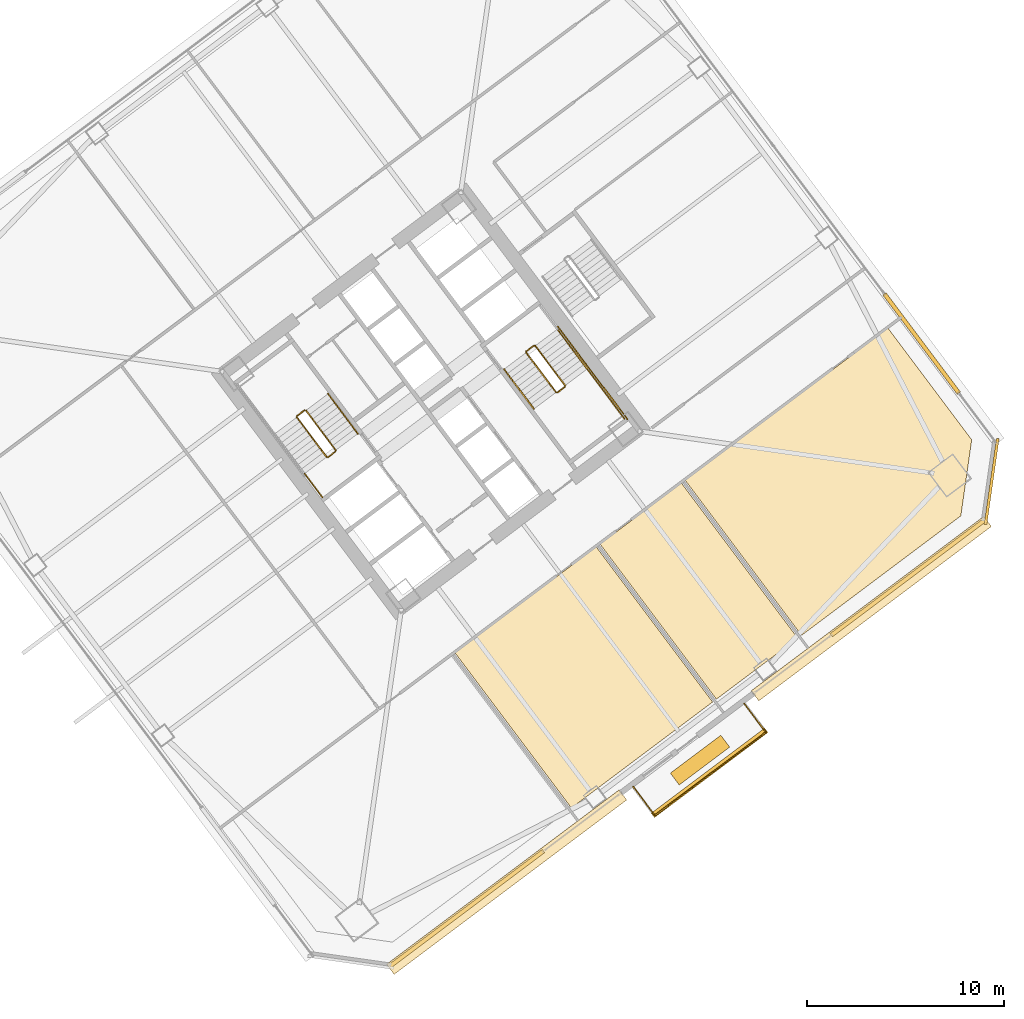
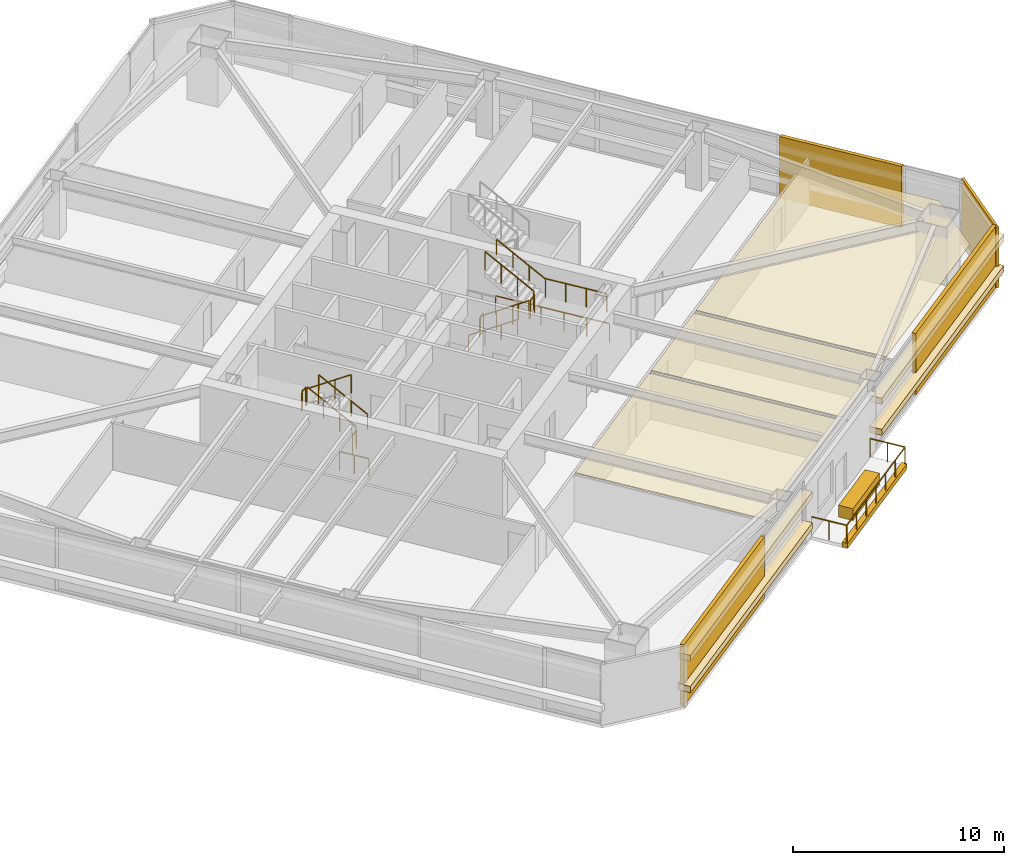
# One storey, part 45 of 48: 17 railings, 13 coverings.
"""IFC4 building model written with IfcOpenShell, lengths in metres."""

from ifc_helpers import new_model, si_unit, direction, frame, origin, origin_2d, place, context, subcontext, project, spatial, polyline, rectangle, outline, extrude, material, layer, layer_set, type_object, element, save


model = new_model("IFC4")

# Units and contexts
model_context = context("Model", 3, precision=1e-05, world=origin(), true_north=direction((0.0, 1.0)))
body_context = subcontext(model_context, "Body", "Model", "MODEL_VIEW")
ifc_project = project(units=[si_unit("LENGTHUNIT", "METRE"), si_unit("AREAUNIT", "SQUARE_METRE"), si_unit("VOLUMEUNIT", "CUBIC_METRE"), si_unit("PLANEANGLEUNIT", "RADIAN"), si_unit("MASSUNIT", "GRAM", prefix="KILO")], contexts=[model_context])

# Site, building, storey
site_placement = place(None, origin())
site = spatial("IfcSite", under=ifc_project, at=site_placement, CompositionType="ELEMENT")
building_placement = place(site_placement, origin())
building = spatial("IfcBuilding", under=site, at=building_placement, Name="Tashvorn Skyway Center", CompositionType="ELEMENT")
storey_placement = place(building_placement, frame((0.0, 0.0, 53.0)))
storey = spatial("IfcBuildingStorey", under=building, at=storey_placement, Name="L13", CompositionType="ELEMENT", Elevation=53.0)

# Coverings
ifc_material_1 = material(Name="Precast concrete C40/50", Category="concrete")
ifc_layer_1 = layer(ifc_material_1, 0.199951171875)
ifc_layer_set_1 = layer_set([ifc_layer_1], Name="Precast concrete C40/50")
covering_type_1 = type_object("IfcCoveringType", Name="COV-BRACE-CLAD", PredefinedType="CLADDING", material=ifc_layer_set_1)
for number, where, z_axis, x_axis, name in (
    (1, (138.210693359375, 23.05810546875, 0.0), (0.0, 0.0, 1.0), (-0.799999996291, -0.600000004945, 0.0), "Tower 2 L13 South Curtain Wall L Mega-Brace Cladding Band 1"),
    (2, (115.805419921875, 6.25390625, 0.0), (0.0, 0.0, 1.0), (-0.799999996291, -0.600000004945, 0.0), "Tower 2 L13 South Curtain Wall R Mega-Brace Cladding Band 1"),
):
    element("IfcCovering", number, at=place(storey_placement, frame(where, z_axis=z_axis, x_axis=x_axis)), inside=storey, type_object=covering_type_1, Name=name, PredefinedType="CLADDING", context=body_context, shape_type="SweptSolid", body=[
        extrude(rectangle(XDim=9.75341796875, YDim=0.199951171875, at=origin_2d()), origin(), (0.0, 0.0, 1.0), 3.550048828125),
    ])
covering_1_placement = place(storey_placement, frame((138.89599609375, 34.938720703125, 0.0), z_axis=(0.0, 0.0, 1.0), x_axis=(0.600000004945, -0.799999996291, 0.0)))
element("IfcCovering", 3, at=covering_1_placement, inside=storey, type_object=covering_type_1, Name="Tower 2 L13 East Unitised Curtain Wall Mega-Brace Cladding Band 2", PredefinedType="CLADDING", context=body_context, shape_type="SweptSolid", body=[
    extrude(rectangle(XDim=6.29345703125, YDim=0.199951171875, at=origin_2d()), origin(), (0.0, 0.0, 1.0), 3.550048828125),
])
ifc_material_2 = material(Name="Mineral-fibre acoustic ceiling tile on suspended grid")
ifc_layer_2 = layer(ifc_material_2, 0.02001953125)
ifc_layer_set_2 = layer_set([ifc_layer_2], Name="Mineral-fibre acoustic ceiling tile on suspended grid")
covering_type_2 = type_object("IfcCoveringType", Name="COV-CEIL-20", PredefinedType="CEILING", material=ifc_layer_set_2)
covering_2_placement = place(storey_placement, frame((0.0, 0.0, 2.68310546875)))
element("IfcCovering", 4, at=covering_2_placement, inside=storey, type_object=covering_type_2, Name="Tower 2 L13 Corporate Office Acoustic Ceiling", PredefinedType="CEILING", context=body_context, shape_type="SweptSolid", body=[
    extrude(outline(polyline([(115.219970703125, 19.239990234375), (122.387939453125, 24.615966796875), (128.2919921875, 16.743896484375), (121.1240234375, 11.367919921875), (115.219970703125, 19.239990234375)])), origin(), (0.0, 0.0, 1.0), 0.019775390625),
])
covering_3_placement = place(storey_placement, frame((0.0, 0.0, 2.68310546875)))
element("IfcCovering", 5, at=covering_3_placement, inside=storey, type_object=covering_type_2, Name="Tower 2 L13 Corporate Office Acoustic Ceiling", PredefinedType="CEILING", context=body_context, shape_type="SweptSolid", body=[
    extrude(outline(polyline([(122.580078125, 24.760009765625), (126.7080078125, 27.85595703125), (132.612060546875, 19.98388671875), (128.48388671875, 16.887939453125), (122.580078125, 24.760009765625)])), origin(), (0.0, 0.0, 1.0), 0.019775390625),
])
covering_4_placement = place(storey_placement, frame((0.0, 0.0, 2.68310546875)))
element("IfcCovering", 6, at=covering_4_placement, inside=storey, type_object=covering_type_2, Name="Tower 2 L13 Collaborative Studio Acoustic Ceiling", PredefinedType="CEILING", context=body_context, shape_type="SweptSolid", body=[
    extrude(outline(polyline([(132.803955078125, 20.1279296875), (126.89990234375, 28.0), (137.18798828125, 35.716064453125), (141.43603515625, 30.052001953125), (140.884033203125, 26.18798828125), (132.803955078125, 20.1279296875)])), origin(), (0.0, 0.0, 1.0), 0.019775390625),
])
ifc_material_3 = material(Name="Perforated ceramic-coated bronze aluminium solar screen", Category="aluminium")
ifc_layer_3 = layer(ifc_material_3, 0.85009765625)
ifc_layer_set_3 = layer_set([ifc_layer_3], Name="Perforated ceramic-coated bronze aluminium solar screen")
covering_type_3 = type_object("IfcCoveringType", Name="COV-SOLAR-BAND", PredefinedType="CLADDING", material=ifc_layer_set_3)
for number, where, z_axis, x_axis, name in (
    (7, (136.343994140625, 21.48291015625, 0.919921875), (0.0, 0.0, 1.0), (-0.799999996291, -0.600000004945, 0.0), "L13 Perforated Ceramic-Metal Solar Screen Louvre Band South 1"),
    (8, (136.343994140625, 21.48291015625, 2.7197265625), (0.0, 0.0, 1.0), (-0.799999996291, -0.600000004945, 0.0), "L13 Perforated Ceramic-Metal Solar Screen Louvre Band South 2"),
    (9, (117.840087890625, 7.60498046875, 0.919921875), (0.0, 0.0, 1.0), (-0.799999996291, -0.600000004945, 0.0), "L13 Perforated Ceramic-Metal Solar Screen Louvre Band South 1"),
    (10, (117.840087890625, 7.60498046875, 2.7197265625), (0.0, 0.0, 1.0), (-0.799999996291, -0.600000004945, 0.0), "L13 Perforated Ceramic-Metal Solar Screen Louvre Band South 2"),
):
    element("IfcCovering", number, at=place(storey_placement, frame(where, z_axis=z_axis, x_axis=x_axis)), inside=storey, type_object=covering_type_3, Name=name, PredefinedType="CLADDING", context=body_context, shape_type="SweptSolid", body=[
        extrude(rectangle(XDim=14.75, YDim=0.639892578125, at=origin_2d()), origin(), (0.0, 0.0, 1.0), 0.360107421875),
    ])
ifc_layer_4 = layer(ifc_material_1, 0.35009765625)
ifc_layer_set_4 = layer_set([ifc_layer_4], Name="Precast concrete C40/50")
covering_type_4 = type_object("IfcCoveringType", Name="COV-STONE-TRIM", PredefinedType="CLADDING", material=ifc_layer_set_4)
covering_5_placement = place(storey_placement, frame((128.135986328125, 13.152099609375, -0.16015625), z_axis=(0.0, 0.0, 1.0), x_axis=(-0.799999996291, -0.600000004945, 0.0)))
element("IfcCovering", 11, at=covering_5_placement, inside=storey, type_object=covering_type_4, Name="Tower 2 L13 Spiral Terrace Terracotta Fascia", PredefinedType="CLADDING", context=body_context, shape_type="SweptSolid", body=[
    extrude(rectangle(XDim=7.199951171875, YDim=0.280029296875, at=origin_2d()), origin(), (0.0, 0.0, 1.0), 0.280029296875),
])
covering_6_placement = place(storey_placement, frame((127.64990234375, 13.800048828125, 0.0), z_axis=(0.0, 0.0, 1.0), x_axis=(-0.799999996291, -0.600000004945, 0.0)))
element("IfcCovering", 12, at=covering_6_placement, inside=storey, type_object=covering_type_4, Name="Tower 2 L13 Spiral Terrace Planter", PredefinedType="CLADDING", context=body_context, shape_type="SweptSolid", body=[
    extrude(rectangle(XDim=3.199951171875, YDim=0.75, at=origin_2d()), origin(), (0.0, 0.0, 1.0), 0.679931640625),
])
covering_7_placement = place(storey_placement, frame((142.447998046875, 27.93603515625, 0.02001953125), z_axis=(0.0, 0.0, 1.0), x_axis=(0.141421350118, 0.989949494535, 0.0)))
element("IfcCovering", 13, at=covering_7_placement, inside=storey, type_object=covering_type_4, Name="Tower 2 L13 SE Mojave Limestone Corner Quoin", PredefinedType="CLADDING", context=body_context, shape_type="SweptSolid", body=[
    extrude(rectangle(XDim=4.402587890625, YDim=0.139892578125, at=origin_2d()), origin(), (0.0, 0.0, 1.0), 3.510009765625),
])

# Railings
ifc_material_4 = material(Name="Galvanized steel S355", Category="steel")
railing_type_1 = type_object("IfcRailingType", Name="RAIL-GUARD-1120", PredefinedType="GUARDRAIL", material=ifc_material_4)
railing_1_placement = place(storey_placement, frame((124.263916015625, 12.447998046875, 0.0)))
element("IfcRailing", 14, at=railing_1_placement, inside=storey, type_object=railing_type_1, Name="L13 Tower 2 Terrace Guardrail 01", PredefinedType="GUARDRAIL", context=body_context, shape_type="SweptSolid", body=[
    extrude(rectangle(XDim=0.048095703125, YDim=0.048095703125, at=origin_2d()), frame((0.0, 0.0, 1.09619140625), z_axis=(0.6, -0.8, 0.0), x_axis=(0.8, 0.6, 0.0)), (0.0, 0.0, 1.0), 1.820068359375),
    extrude(rectangle(XDim=0.0419921875, YDim=0.0419921875, at=origin_2d()), origin(), (0.0, 0.0, 1.0), 1.072021484375),
    extrude(rectangle(XDim=0.0419921875, YDim=0.0419921875, at=origin_2d()), frame((0.5458984375, -0.72802734375, 0.0)), (0.0, 0.0, 1.0), 1.072021484375),
    extrude(rectangle(XDim=0.0419921875, YDim=0.0419921875, at=origin_2d()), frame((1.092041015625, -1.4560546875, 0.0)), (0.0, 0.0, 1.0), 1.072021484375),
])
railing_2_placement = place(storey_placement, frame((125.35595703125, 10.991943359375, 0.0)))
element("IfcRailing", 15, at=railing_2_placement, inside=storey, type_object=railing_type_1, Name="L13 Tower 2 Terrace Guardrail 02", PredefinedType="GUARDRAIL", context=body_context, shape_type="SweptSolid", body=[
    extrude(rectangle(XDim=0.048095703125, YDim=0.048095703125, at=origin_2d()), frame((0.0, 0.0, 1.09619140625), z_axis=(0.799995838574, 0.600005548528, 0.0), x_axis=(-0.600005548528, 0.799995838574, 0.0)), (0.0, 0.0, 1.0), 7.0400390625),
    extrude(rectangle(XDim=0.0419921875, YDim=0.0419921875, at=origin_2d()), origin(), (0.0, 0.0, 1.0), 1.072021484375),
    extrude(rectangle(XDim=0.0419921875, YDim=0.0419921875, at=origin_2d()), frame((0.938720703125, 0.7041015625, 0.0)), (0.0, 0.0, 1.0), 1.072021484375),
    extrude(rectangle(XDim=0.0419921875, YDim=0.0419921875, at=origin_2d()), frame((1.87744140625, 1.407958984375, 0.0)), (0.0, 0.0, 1.0), 1.072021484375),
    extrude(rectangle(XDim=0.0419921875, YDim=0.0419921875, at=origin_2d()), frame((2.81591796875, 2.112060546875, 0.0)), (0.0, 0.0, 1.0), 1.072021484375),
    extrude(rectangle(XDim=0.0419921875, YDim=0.0419921875, at=origin_2d()), frame((3.754638671875, 2.816162109375, 0.0)), (0.0, 0.0, 1.0), 1.072021484375),
    extrude(rectangle(XDim=0.0419921875, YDim=0.0419921875, at=origin_2d()), frame((4.693359375, 3.52001953125, 0.0)), (0.0, 0.0, 1.0), 1.072021484375),
    extrude(rectangle(XDim=0.0419921875, YDim=0.0419921875, at=origin_2d()), frame((5.632080078125, 4.22412109375, 0.0)), (0.0, 0.0, 1.0), 1.072021484375),
])
railing_3_placement = place(storey_placement, frame((130.988037109375, 15.216064453125, 0.0)))
element("IfcRailing", 16, at=railing_3_placement, inside=storey, type_object=railing_type_1, Name="L13 Tower 2 Terrace Guardrail 03", PredefinedType="GUARDRAIL", context=body_context, shape_type="SweptSolid", body=[
    extrude(rectangle(XDim=0.048095703125, YDim=0.048095703125, at=origin_2d()), frame((0.0, 0.0, 1.09619140625), z_axis=(-0.6, 0.8, 0.0), x_axis=(-0.8, -0.6, 0.0)), (0.0, 0.0, 1.0), 1.820068359375),
    extrude(rectangle(XDim=0.0419921875, YDim=0.0419921875, at=origin_2d()), origin(), (0.0, 0.0, 1.0), 1.072021484375),
    extrude(rectangle(XDim=0.0419921875, YDim=0.0419921875, at=origin_2d()), frame((-0.5458984375, 0.72802734375, 0.0)), (0.0, 0.0, 1.0), 1.072021484375),
    extrude(rectangle(XDim=0.0419921875, YDim=0.0419921875, at=origin_2d()), frame((-1.092041015625, 1.4560546875, 0.0)), (0.0, 0.0, 1.0), 1.072021484375),
])
ifc_material_5 = material(Name="Brushed stainless steel 316", Category="steel")
railing_type_2 = type_object("IfcRailingType", Name="RAIL-HAND-920", PredefinedType="HANDRAIL", material=ifc_material_5)
railing_4_placement = place(storey_placement, frame((110.2880859375, 30.365966796875, 0.177490234375)))
element("IfcRailing", 17, at=railing_4_placement, inside=storey, type_object=railing_type_2, Name="L13 ST-T2-1 stair handrail 1", PredefinedType="HANDRAIL", context=body_context, shape_type="SweptSolid", body=[
    extrude(rectangle(XDim=0.048095703125, YDim=0.048095703125, at=origin_2d()), frame((0.0, 0.0, 0.8759765625), z_axis=(-0.506801609611, 0.675680931896, 0.535357270211), x_axis=(-0.799976749893, -0.600030998891, 0.0)), (0.0, 0.0, 1.0), 2.98388671875),
    extrude(rectangle(XDim=0.0419921875, YDim=0.0419921875, at=origin_2d()), origin(), (0.0, 0.0, 1.0), 0.851806640625),
    extrude(rectangle(XDim=0.0419921875, YDim=0.0419921875, at=origin_2d()), frame((-0.504150390625, 0.672119140625, 0.532470703125)), (0.0, 0.0, 1.0), 0.851806640625),
    extrude(rectangle(XDim=0.0419921875, YDim=0.0419921875, at=origin_2d()), frame((-1.008056640625, 1.343994140625, 1.06494140625)), (0.0, 0.0, 1.0), 0.851806640625),
    extrude(rectangle(XDim=0.0419921875, YDim=0.0419921875, at=origin_2d()), frame((-1.51220703125, 2.01611328125, 1.597412109375)), (0.0, 0.0, 1.0), 0.851806640625),
])
railing_5_placement = place(storey_placement, frame((117.7119140625, 33.634033203125, 0.177490234375)))
element("IfcRailing", 18, at=railing_5_placement, inside=storey, type_object=railing_type_2, Name="L13 ST-T2-2 stair handrail 1", PredefinedType="HANDRAIL", context=body_context, shape_type="SweptSolid", body=[
    extrude(rectangle(XDim=0.048095703125, YDim=0.048095703125, at=origin_2d()), frame((0.0, 0.0, 0.8759765625), z_axis=(0.506801609611, -0.675680931896, 0.535357270211), x_axis=(0.799976749893, 0.600030998891, 0.0)), (0.0, 0.0, 1.0), 2.98388671875),
    extrude(rectangle(XDim=0.0419921875, YDim=0.0419921875, at=origin_2d()), origin(), (0.0, 0.0, 1.0), 0.851806640625),
    extrude(rectangle(XDim=0.0419921875, YDim=0.0419921875, at=origin_2d()), frame((0.504150390625, -0.672119140625, 0.532470703125)), (0.0, 0.0, 1.0), 0.851806640625),
    extrude(rectangle(XDim=0.0419921875, YDim=0.0419921875, at=origin_2d()), frame((1.008056640625, -1.343994140625, 1.06494140625)), (0.0, 0.0, 1.0), 0.851806640625),
    extrude(rectangle(XDim=0.0419921875, YDim=0.0419921875, at=origin_2d()), frame((1.51220703125, -2.01611328125, 1.597412109375)), (0.0, 0.0, 1.0), 0.851806640625),
])
railing_6_placement = place(storey_placement, frame((121.927978515625, 33.64599609375, 1.952392578125)))
element("IfcRailing", 19, at=railing_6_placement, inside=storey, type_object=railing_type_2, Name="L13 ST-T2-2 stair handrail 2", PredefinedType="HANDRAIL", context=body_context, shape_type="SweptSolid", body=[
    extrude(rectangle(XDim=0.048095703125, YDim=0.048095703125, at=origin_2d()), frame((0.0, 0.0, 0.8759765625), z_axis=(-0.506718600913, 0.675679348675, 0.535437836974), x_axis=(-0.800023250257, -0.599968998406, 0.0)), (0.0, 0.0, 1.0), 2.98388671875),
    extrude(rectangle(XDim=0.0419921875, YDim=0.0419921875, at=origin_2d()), origin(), (0.0, 0.0, 1.0), 0.851806640625),
    extrude(rectangle(XDim=0.0419921875, YDim=0.0419921875, at=origin_2d()), frame((-0.50390625, 0.672119140625, 0.532470703125)), (0.0, 0.0, 1.0), 0.851806640625),
    extrude(rectangle(XDim=0.0419921875, YDim=0.0419921875, at=origin_2d()), frame((-1.008056640625, 1.343994140625, 1.065185546875)), (0.0, 0.0, 1.0), 0.851806640625),
    extrude(rectangle(XDim=0.0419921875, YDim=0.0419921875, at=origin_2d()), frame((-1.511962890625, 2.01611328125, 1.59765625)), (0.0, 0.0, 1.0), 0.851806640625),
])
ifc_material_6 = material(Name="Painted galvanized steel S355", Category="steel")
railing_type_3 = type_object("IfcRailingType", Name="RAIL-STGUARD-1100", PredefinedType="GUARDRAIL", material=ifc_material_6)
railing_7_placement = place(storey_placement, frame((109.16796875, 29.52587890625, 0.177490234375)))
element("IfcRailing", 20, at=railing_7_placement, inside=storey, type_object=railing_type_3, Name="L13 ST-T2-1 stair guard 1", PredefinedType="GUARDRAIL", context=body_context, shape_type="SweptSolid", body=[
    extrude(rectangle(XDim=0.048095703125, YDim=0.048095703125, at=origin_2d()), frame((0.0, 0.0, 1.076171875), z_axis=(-0.506740800098, 0.675708949977, 0.535379469569), x_axis=(-0.800023250257, -0.599968998406, 0.0)), (0.0, 0.0, 1.0), 2.983642578125),
    extrude(rectangle(XDim=0.0419921875, YDim=0.0419921875, at=origin_2d()), origin(), (0.0, 0.0, 1.0), 1.052001953125),
    extrude(rectangle(XDim=0.0419921875, YDim=0.0419921875, at=origin_2d()), frame((-0.50390625, 0.672119140625, 0.532470703125)), (0.0, 0.0, 1.0), 1.052001953125),
    extrude(rectangle(XDim=0.0419921875, YDim=0.0419921875, at=origin_2d()), frame((-1.008056640625, 1.343994140625, 1.06494140625)), (0.0, 0.0, 1.0), 1.052001953125),
    extrude(rectangle(XDim=0.0419921875, YDim=0.0419921875, at=origin_2d()), frame((-1.511962890625, 2.01611328125, 1.597412109375)), (0.0, 0.0, 1.0), 1.052001953125),
])
railing_8_placement = place(storey_placement, frame((107.5859375, 31.552001953125, 1.77490234375)))
element("IfcRailing", 21, at=railing_8_placement, inside=storey, type_object=railing_type_3, Name="L13 ST-T2-1 stair guard 2", PredefinedType="GUARDRAIL", context=body_context, shape_type="SweptSolid", body=[
    extrude(rectangle(XDim=0.048095703125, YDim=0.048095703125, at=origin_2d()), frame((0.0, 0.0, 1.076171875), z_axis=(-0.799938970639, -0.600081363861, 0.0), x_axis=(0.600081363861, -0.799938970639, 0.0)), (0.0, 0.0, 1.0), 0.47998046875),
    extrude(rectangle(XDim=0.0419921875, YDim=0.0419921875, at=origin_2d()), origin(), (0.0, 0.0, 1.0), 1.052001953125),
    extrude(rectangle(XDim=0.0419921875, YDim=0.0419921875, at=origin_2d()), frame((-0.384033203125, -0.2880859375, 0.0)), (0.0, 0.0, 1.0), 1.052001953125),
])
railing_9_placement = place(storey_placement, frame((107.19189453125, 31.194091796875, 1.952392578125)))
element("IfcRailing", 22, at=railing_9_placement, inside=storey, type_object=railing_type_3, Name="L13 ST-T2-1 stair guard 4", PredefinedType="GUARDRAIL", context=body_context, shape_type="SweptSolid", body=[
    extrude(rectangle(XDim=0.048095703125, YDim=0.048095703125, at=origin_2d()), frame((0.0, 0.0, 1.076171875), z_axis=(0.506779409603, -0.675651334276, 0.53541563714), x_axis=(0.799976749893, 0.600030998891, 0.0)), (0.0, 0.0, 1.0), 2.98388671875),
    extrude(rectangle(XDim=0.0419921875, YDim=0.0419921875, at=origin_2d()), origin(), (0.0, 0.0, 1.0), 1.052001953125),
    extrude(rectangle(XDim=0.0419921875, YDim=0.0419921875, at=origin_2d()), frame((0.504150390625, -0.672119140625, 0.532470703125)), (0.0, 0.0, 1.0), 1.052001953125),
    extrude(rectangle(XDim=0.0419921875, YDim=0.0419921875, at=origin_2d()), frame((1.008056640625, -1.343994140625, 1.065185546875)), (0.0, 0.0, 1.0), 1.052001953125),
    extrude(rectangle(XDim=0.0419921875, YDim=0.0419921875, at=origin_2d()), frame((1.51220703125, -2.01611328125, 1.59765625)), (0.0, 0.0, 1.0), 1.052001953125),
])
railing_10_placement = place(storey_placement, frame((109.157958984375, 29.4560546875, 0.0)))
element("IfcRailing", 23, at=railing_10_placement, inside=storey, type_object=railing_type_3, Name="L13 ST-T2-1 stair guard 5", PredefinedType="GUARDRAIL", context=body_context, shape_type="SweptSolid", body=[
    extrude(rectangle(XDim=0.048095703125, YDim=0.048095703125, at=origin_2d()), frame((0.0, 0.0, 1.076171875), z_axis=(-0.799938970639, -0.600081363861, 0.0), x_axis=(0.600081363861, -0.799938970639, 0.0)), (0.0, 0.0, 1.0), 0.47998046875),
    extrude(rectangle(XDim=0.0419921875, YDim=0.0419921875, at=origin_2d()), origin(), (0.0, 0.0, 1.0), 1.052001953125),
    extrude(rectangle(XDim=0.0419921875, YDim=0.0419921875, at=origin_2d()), frame((-0.384033203125, -0.2880859375, 0.0)), (0.0, 0.0, 1.0), 1.052001953125),
])
railing_11_placement = place(storey_placement, frame((108.49609375, 27.1220703125, 0.0)))
element("IfcRailing", 24, at=railing_11_placement, inside=storey, type_object=railing_type_3, Name="L13 ST-T2-1 stair guard 6", PredefinedType="GUARDRAIL", context=body_context, shape_type="SweptSolid", body=[
    extrude(rectangle(XDim=0.048095703125, YDim=0.048095703125, at=origin_2d()), frame((0.0, 0.0, 1.076171875), z_axis=(-0.600102796382, 0.799922892393, 0.0), x_axis=(-0.799922892393, -0.600102796382, 0.0)), (0.0, 0.0, 1.0), 1.52001953125),
    extrude(rectangle(XDim=0.0419921875, YDim=0.0419921875, at=origin_2d()), origin(), (0.0, 0.0, 1.0), 1.052001953125),
    extrude(rectangle(XDim=0.0419921875, YDim=0.0419921875, at=origin_2d()), frame((-0.4560546875, 0.60791015625, 0.0)), (0.0, 0.0, 1.0), 1.052001953125),
    extrude(rectangle(XDim=0.0419921875, YDim=0.0419921875, at=origin_2d()), frame((-0.912109375, 1.2158203125, 0.0)), (0.0, 0.0, 1.0), 1.052001953125),
])
railing_12_placement = place(storey_placement, frame((118.83203125, 34.47412109375, 0.177490234375)))
element("IfcRailing", 25, at=railing_12_placement, inside=storey, type_object=railing_type_3, Name="L13 ST-T2-2 stair guard 1", PredefinedType="GUARDRAIL", context=body_context, shape_type="SweptSolid", body=[
    extrude(rectangle(XDim=0.048095703125, YDim=0.048095703125, at=origin_2d()), frame((0.0, 0.0, 1.076171875), z_axis=(0.506740800098, -0.675708949977, 0.535379469569), x_axis=(0.800023250257, 0.599968998406, 0.0)), (0.0, 0.0, 1.0), 2.983642578125),
    extrude(rectangle(XDim=0.0419921875, YDim=0.0419921875, at=origin_2d()), origin(), (0.0, 0.0, 1.0), 1.052001953125),
    extrude(rectangle(XDim=0.0419921875, YDim=0.0419921875, at=origin_2d()), frame((0.50390625, -0.672119140625, 0.532470703125)), (0.0, 0.0, 1.0), 1.052001953125),
    extrude(rectangle(XDim=0.0419921875, YDim=0.0419921875, at=origin_2d()), frame((1.008056640625, -1.343994140625, 1.06494140625)), (0.0, 0.0, 1.0), 1.052001953125),
    extrude(rectangle(XDim=0.0419921875, YDim=0.0419921875, at=origin_2d()), frame((1.511962890625, -2.01611328125, 1.597412109375)), (0.0, 0.0, 1.0), 1.052001953125),
])
railing_13_placement = place(storey_placement, frame((120.4140625, 32.447998046875, 1.77490234375)))
element("IfcRailing", 26, at=railing_13_placement, inside=storey, type_object=railing_type_3, Name="L13 ST-T2-2 stair guard 2", PredefinedType="GUARDRAIL", context=body_context, shape_type="SweptSolid", body=[
    extrude(rectangle(XDim=0.048095703125, YDim=0.048095703125, at=origin_2d()), frame((0.0, 0.0, 1.076171875), z_axis=(0.799938970639, 0.600081363861, 0.0), x_axis=(-0.600081363861, 0.799938970639, 0.0)), (0.0, 0.0, 1.0), 0.47998046875),
    extrude(rectangle(XDim=0.0419921875, YDim=0.0419921875, at=origin_2d()), origin(), (0.0, 0.0, 1.0), 1.052001953125),
    extrude(rectangle(XDim=0.0419921875, YDim=0.0419921875, at=origin_2d()), frame((0.384033203125, 0.2880859375, 0.0)), (0.0, 0.0, 1.0), 1.052001953125),
])
railing_14_placement = place(storey_placement, frame((121.927978515625, 33.64599609375, 1.77490234375)))
element("IfcRailing", 27, at=railing_14_placement, inside=storey, type_object=railing_type_3, Name="L13 ST-T2-2 stair guard 3", PredefinedType="GUARDRAIL", context=body_context, shape_type="SweptSolid", body=[
    extrude(rectangle(XDim=0.048095703125, YDim=0.048095703125, at=origin_2d()), frame((0.0, 0.0, 1.076171875), z_axis=(0.599987638607, -0.800009270896, 0.0), x_axis=(0.800009270896, 0.599987638607, 0.0)), (0.0, 0.0, 1.0), 3.16015625),
    extrude(rectangle(XDim=0.0419921875, YDim=0.0419921875, at=origin_2d()), origin(), (0.0, 0.0, 1.0), 1.052001953125),
    extrude(rectangle(XDim=0.0419921875, YDim=0.0419921875, at=origin_2d()), frame((0.632080078125, -0.8427734375, 0.0)), (0.0, 0.0, 1.0), 1.052001953125),
    extrude(rectangle(XDim=0.0419921875, YDim=0.0419921875, at=origin_2d()), frame((1.263916015625, -1.685302734375, 0.0)), (0.0, 0.0, 1.0), 1.052001953125),
    extrude(rectangle(XDim=0.0419921875, YDim=0.0419921875, at=origin_2d()), frame((1.89599609375, -2.528076171875, 0.0)), (0.0, 0.0, 1.0), 1.052001953125),
])
railing_15_placement = place(storey_placement, frame((120.80810546875, 32.805908203125, 1.952392578125)))
element("IfcRailing", 28, at=railing_15_placement, inside=storey, type_object=railing_type_3, Name="L13 ST-T2-2 stair guard 4", PredefinedType="GUARDRAIL", context=body_context, shape_type="SweptSolid", body=[
    extrude(rectangle(XDim=0.048095703125, YDim=0.048095703125, at=origin_2d()), frame((0.0, 0.0, 1.076171875), z_axis=(-0.506779409603, 0.675651334276, 0.53541563714), x_axis=(-0.799976749893, -0.600030998891, 0.0)), (0.0, 0.0, 1.0), 2.98388671875),
    extrude(rectangle(XDim=0.0419921875, YDim=0.0419921875, at=origin_2d()), origin(), (0.0, 0.0, 1.0), 1.052001953125),
    extrude(rectangle(XDim=0.0419921875, YDim=0.0419921875, at=origin_2d()), frame((-0.504150390625, 0.672119140625, 0.532470703125)), (0.0, 0.0, 1.0), 1.052001953125),
    extrude(rectangle(XDim=0.0419921875, YDim=0.0419921875, at=origin_2d()), frame((-1.008056640625, 1.343994140625, 1.065185546875)), (0.0, 0.0, 1.0), 1.052001953125),
    extrude(rectangle(XDim=0.0419921875, YDim=0.0419921875, at=origin_2d()), frame((-1.51220703125, 2.01611328125, 1.59765625)), (0.0, 0.0, 1.0), 1.052001953125),
])
railing_16_placement = place(storey_placement, frame((118.842041015625, 34.5439453125, 0.0)))
element("IfcRailing", 29, at=railing_16_placement, inside=storey, type_object=railing_type_3, Name="L13 ST-T2-2 stair guard 5", PredefinedType="GUARDRAIL", context=body_context, shape_type="SweptSolid", body=[
    extrude(rectangle(XDim=0.048095703125, YDim=0.048095703125, at=origin_2d()), frame((0.0, 0.0, 1.076171875), z_axis=(0.799938970639, 0.600081363861, 0.0), x_axis=(-0.600081363861, 0.799938970639, 0.0)), (0.0, 0.0, 1.0), 0.47998046875),
    extrude(rectangle(XDim=0.0419921875, YDim=0.0419921875, at=origin_2d()), origin(), (0.0, 0.0, 1.0), 1.052001953125),
    extrude(rectangle(XDim=0.0419921875, YDim=0.0419921875, at=origin_2d()), frame((0.384033203125, 0.2880859375, 0.0)), (0.0, 0.0, 1.0), 1.052001953125),
])
railing_17_placement = place(storey_placement, frame((120.43603515625, 35.802001953125, 0.0)))
element("IfcRailing", 30, at=railing_17_placement, inside=storey, type_object=railing_type_3, Name="L13 ST-T2-2 stair guard 7", PredefinedType="GUARDRAIL", context=body_context, shape_type="SweptSolid", body=[
    extrude(rectangle(XDim=0.048095703125, YDim=0.048095703125, at=origin_2d()), frame((0.0, 0.0, 1.076171875), z_axis=(0.6, -0.8, 0.0), x_axis=(0.8, 0.6, 0.0)), (0.0, 0.0, 1.0), 5.880126953125),
    extrude(rectangle(XDim=0.0419921875, YDim=0.0419921875, at=origin_2d()), origin(), (0.0, 0.0, 1.0), 1.052001953125),
    extrude(rectangle(XDim=0.0419921875, YDim=0.0419921875, at=origin_2d()), frame((0.70556640625, -0.94091796875, 0.0)), (0.0, 0.0, 1.0), 1.052001953125),
    extrude(rectangle(XDim=0.0419921875, YDim=0.0419921875, at=origin_2d()), frame((1.4111328125, -1.881591796875, 0.0)), (0.0, 0.0, 1.0), 1.052001953125),
    extrude(rectangle(XDim=0.0419921875, YDim=0.0419921875, at=origin_2d()), frame((2.116943359375, -2.822509765625, 0.0)), (0.0, 0.0, 1.0), 1.052001953125),
    extrude(rectangle(XDim=0.0419921875, YDim=0.0419921875, at=origin_2d()), frame((2.822509765625, -3.76318359375, 0.0)), (0.0, 0.0, 1.0), 1.052001953125),
    extrude(rectangle(XDim=0.0419921875, YDim=0.0419921875, at=origin_2d()), frame((3.528076171875, -4.7041015625, 0.0)), (0.0, 0.0, 1.0), 1.052001953125),
])

save(model, "model.ifc")
